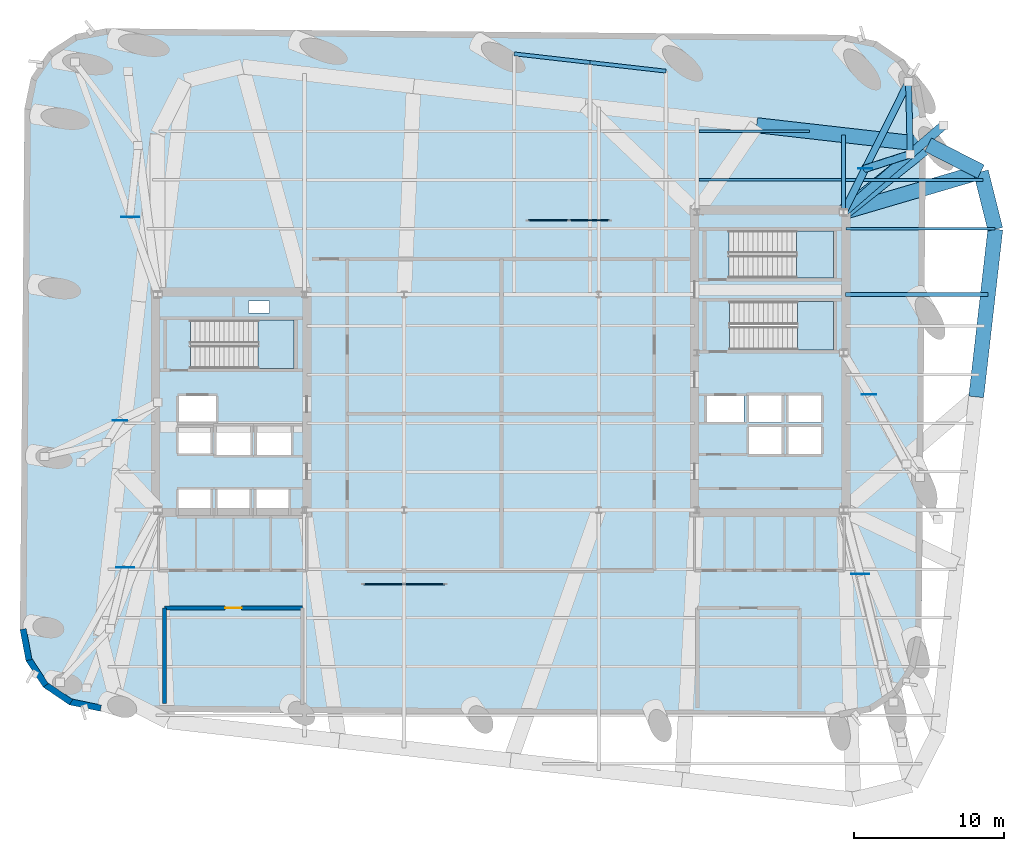
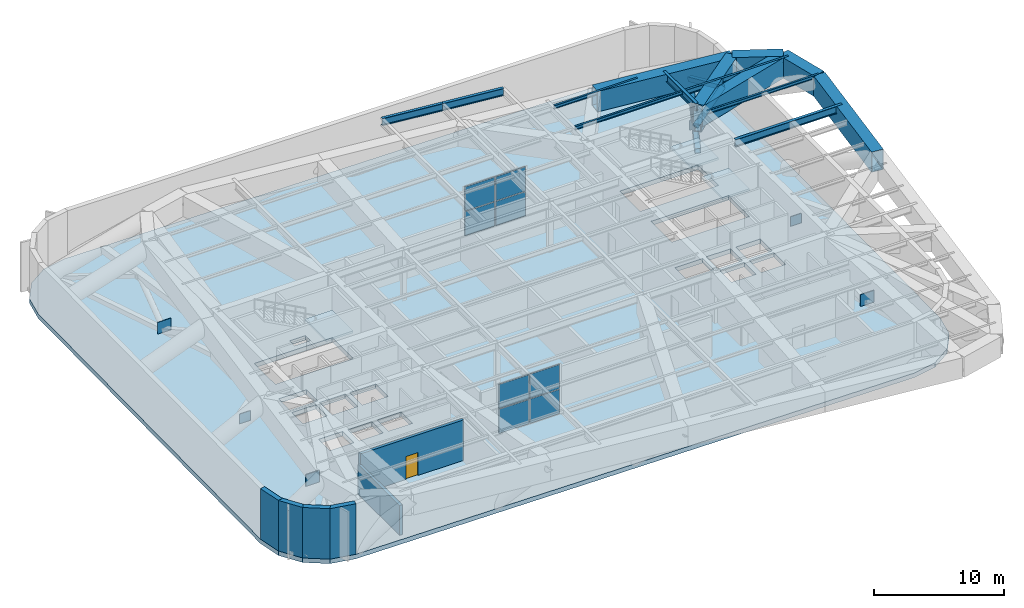
# One storey, part 6 of 13: 14 beams, 14 plates, 6 walls, 5 members, 4 slabs, 1 door, 1 opening, 5 elements without a shape of their own.
"""IFC4 building model written with IfcOpenShell, lengths in metres."""

from ifc_helpers import new_model, si_unit, direction, frame, frame_2d, origin, origin_2d, place, context, subcontext, project, spatial, polyline, rectangle, hollow_rectangle, hollow_circle, i_section, outline, extrude, material, layer, layer_set, material_profile, profile_set, type_object, element, fill, aggregate, save


model = new_model("IFC4")

# Units and contexts
model_context = context("Model", 3, precision=1e-05, world=origin(), true_north=direction((0.0, 1.0)))
body_context = subcontext(model_context, "Body", "Model", "MODEL_VIEW")
ifc_project = project(units=[si_unit("LENGTHUNIT", "METRE"), si_unit("AREAUNIT", "SQUARE_METRE"), si_unit("VOLUMEUNIT", "CUBIC_METRE"), si_unit("PLANEANGLEUNIT", "RADIAN"), si_unit("MASSUNIT", "GRAM", prefix="KILO")], contexts=[model_context])

# Site, building, storey
site_placement = place(None, origin())
site = spatial("IfcSite", under=ifc_project, at=site_placement, CompositionType="ELEMENT")
building_placement = place(site_placement, origin())
building = spatial("IfcBuilding", under=site, at=building_placement, Name="Kolvaren Arena Tower", CompositionType="ELEMENT")
storey_placement = place(building_placement, frame((0.0, 0.0, 210.949951171875)))
storey = spatial("IfcBuildingStorey", under=building, at=storey_placement, Name="L51", CompositionType="ELEMENT", Elevation=210.949951171875)

# Beam
ifc_material_1 = material(Name="Steel CSA G40.21 350W", Category="steel")
ifc_material_profile_1 = material_profile(ifc_material_1, i_section(OverallWidth=0.193115234375, OverallDepth=0.462890625, WebThickness=0.0107421875, FlangeThickness=0.0205078125, FilletRadius=0.012939453125, at=origin_2d()), Name="W460x113")
ifc_profile_set_1 = profile_set([ifc_material_profile_1], Name="Steel CSA G40.21 350W")
beam_type_1 = type_object("IfcBeamType", Name="BEAM-F2", PredefinedType="BEAM", material=ifc_profile_set_1)
beam_1_placement = place(storey_placement, frame((60.4775390625, 41.5, 4.5185546875), z_axis=(1.0, 0.0, 0.0), x_axis=(0.0, 1.0, 0.0)))
element("IfcBeam", 1, at=beam_1_placement, inside=storey, type_object=beam_type_1, Name="Composite Floor Beam (L51)", PredefinedType="BEAM", context=body_context, shape_type="SweptSolid", body=[
    extrude(i_section(OverallWidth=0.193115234375, OverallDepth=0.462890625, WebThickness=0.0107421875, FlangeThickness=0.0205078125, FilletRadius=0.012939453125, at=origin_2d()), origin(), (0.0, 0.0, 1.0), 9.17919921875),
])

# Members
ifc_material_2 = material(Name="Steel CSA G40.21 350WT", Category="steel")
ifc_material_profile_2 = material_profile(ifc_material_2, hollow_rectangle(XDim=0.449951171875, YDim=0.449951171875, WallThickness=0.02001953125, at=origin_2d()), Name="HSS 450x450x20")
ifc_profile_set_2 = profile_set([ifc_material_profile_2], Name="Steel CSA G40.21 350WT")
member_type_1 = type_object("IfcMemberType", Name="BELT-CHORD", PredefinedType="CHORD", material=ifc_profile_set_2)
member_1_placement = place(storey_placement, frame((60.35009765625, 39.35009765625, 0.35009765625), z_axis=(0.445516541311, 0.895273707543, 0.0), x_axis=(-0.895273707543, 0.445516541311, 0.0)))
element("IfcMember", 2, at=member_1_placement, inside=storey, type_object=member_type_1, Name="Belt Truss Bottom Chord 4 (L51)", PredefinedType="CHORD", context=body_context, shape_type="SweptSolid", body=[
    extrude(hollow_rectangle(XDim=0.449951171875, YDim=0.449951171875, WallThickness=0.02001953125, at=origin_2d()), origin(), (0.0, 0.0, 1.0), 9.729736328125),
])
ifc_material_profile_3 = material_profile(ifc_material_2, hollow_rectangle(XDim=0.39990234375, YDim=0.39990234375, WallThickness=0.01611328125, at=origin_2d()), Name="HSS 400x400x16")
ifc_profile_set_3 = profile_set([ifc_material_profile_3], Name="Steel CSA G40.21 350WT")
member_type_2 = type_object("IfcMemberType", Name="BELT-DIAG", PredefinedType="BRACE", material=ifc_profile_set_3)
member_2_placement = place(storey_placement, frame((64.80029296875, 43.21630859375, 2.47998046875), z_axis=(-0.021816086431, 0.915214805597, -0.402375344657), x_axis=(-0.999716016837, -0.023830352062, 0.0)))
element("IfcMember", 3, at=member_2_placement, inside=storey, type_object=member_type_2, Name="Belt Truss Warren Diagonal C 4 (L51)", PredefinedType="BRACE", context=body_context, shape_type="SweptSolid", body=[
    extrude(hollow_rectangle(XDim=0.39990234375, YDim=0.39990234375, WallThickness=0.01611328125, at=origin_2d()), origin(), (0.0, 0.0, 1.0), 5.293212890625),
])
ifc_material_profile_4 = material_profile(ifc_material_2, hollow_circle(Radius=0.25390625, WallThickness=0.02490234375, at=origin_2d()), Name="CHS 508x25")
ifc_profile_set_4 = profile_set([ifc_material_profile_4], Name="Steel CSA G40.21 350WT")
member_type_3 = type_object("IfcMemberType", Name="EXO-BRACE1", PredefinedType="BRACE", material=ifc_profile_set_4)
member_3_placement = place(storey_placement, frame((61.794921875, 42.253662109375, 0.35009765625), z_axis=(0.789375848786, 0.252843945716, 0.559424443932), x_axis=(-0.305042387396, 0.95233877475, 0.0)))
element("IfcMember", 4, at=member_3_placement, inside=storey, type_object=member_type_3, Name="Outrigger Warren Diagonal B 4 (L51)", PredefinedType="BRACE", context=body_context, shape_type="SweptSolid", body=[
    extrude(hollow_circle(Radius=0.25390625, WallThickness=0.02490234375, at=origin_2d()), origin(), (0.0, 0.0, 1.0), 3.807373046875),
])

# Beams
ifc_material_profile_5 = material_profile(ifc_material_1, i_section(OverallWidth=0.2548828125, OverallDepth=0.695068359375, WebThickness=0.01708984375, FlangeThickness=0.02978515625, FilletRadius=0.01611328125, at=origin_2d()), Name="W690x217")
ifc_profile_set_5 = profile_set([ifc_material_profile_5], Name="Steel CSA G40.21 350W")
beam_type_2 = type_object("IfcBeamType", Name="GIRD-T2", PredefinedType="BEAM", material=ifc_profile_set_5)
beam_2_placement = place(storey_placement, frame((60.47998046875, 33.85009765625, 4.402587890625), z_axis=(1.0, 0.0, 0.0), x_axis=(0.0, 1.0, 0.0)))
element("IfcBeam", 5, at=beam_2_placement, inside=storey, type_object=beam_type_2, Name="Primary Floor Girder (L51)", PredefinedType="BEAM", context=body_context, shape_type="SweptSolid", body=[
    extrude(i_section(OverallWidth=0.2548828125, OverallDepth=0.695068359375, WebThickness=0.01708984375, FlangeThickness=0.02978515625, FilletRadius=0.01611328125, at=origin_2d()), origin(), (0.0, 0.0, 1.0), 9.506103515625),
])
beam_3_placement = place(storey_placement, frame((60.35009765625, 39.47998046875, 4.402587890625), z_axis=(0.0, 1.0, 0.0), x_axis=(-1.0, 0.0, 0.0)))
element("IfcBeam", 6, at=beam_3_placement, inside=storey, type_object=beam_type_2, Name="Primary Floor Girder (L51)", PredefinedType="BEAM", context=body_context, shape_type="SweptSolid", body=[
    extrude(i_section(OverallWidth=0.2548828125, OverallDepth=0.695068359375, WebThickness=0.01708984375, FlangeThickness=0.02978515625, FilletRadius=0.01611328125, at=origin_2d()), origin(), (0.0, 0.0, 1.0), 5.01220703125),
])
beam_4_placement = place(storey_placement, frame((38.3515625, 49.917236328125, 4.402587890625), z_axis=(0.993570420936, -0.113215805614, 0.0), x_axis=(0.113215805614, 0.993570420936, 0.0)))
element("IfcBeam", 7, at=beam_4_placement, inside=storey, type_object=beam_type_2, Name="Terrace Edge Fascia Beam (L52)", PredefinedType="BEAM", context=body_context, shape_type="SweptSolid", body=[
    extrude(i_section(OverallWidth=0.2548828125, OverallDepth=0.695068359375, WebThickness=0.01708984375, FlangeThickness=0.02978515625, FilletRadius=0.01611328125, at=origin_2d()), origin(), (0.0, 0.0, 1.0), 5.099853515625),
])
beam_5_placement = place(storey_placement, frame((43.418701171875, 49.33984375, 4.402587890625), z_axis=(0.993576417845, -0.113163164954, 0.0), x_axis=(0.113163164954, 0.993576417845, 0.0)))
element("IfcBeam", 8, at=beam_5_placement, inside=storey, type_object=beam_type_2, Name="Terrace Edge Fascia Beam (L52)", PredefinedType="BEAM", context=body_context, shape_type="SweptSolid", body=[
    extrude(i_section(OverallWidth=0.2548828125, OverallDepth=0.695068359375, WebThickness=0.01708984375, FlangeThickness=0.02978515625, FilletRadius=0.01611328125, at=origin_2d()), origin(), (0.0, 0.0, 1.0), 5.10009765625),
])
ifc_material_profile_6 = material_profile(ifc_material_1, i_section(OverallWidth=0.1669921875, OverallDepth=0.31689453125, WebThickness=0.007568359375, FlangeThickness=0.01318359375, FilletRadius=0.010009765625, at=origin_2d()), Name="W310x52")
ifc_profile_set_6 = profile_set([ifc_material_profile_6], Name="Steel CSA G40.21 350W")
beam_type_3 = type_object("IfcBeamType", Name="JOIST-02", PredefinedType="JOIST", material=ifc_profile_set_6)
beam_6_placement = place(storey_placement, frame((60.52001953125, 38.25, 4.591552734375), z_axis=(1.0, 0.0, 0.0), x_axis=(0.0, 1.0, 0.0)))
element("IfcBeam", 9, at=beam_6_placement, inside=storey, type_object=beam_type_3, Name="Composite Floor Joist (L51)", PredefinedType="JOIST", context=body_context, shape_type="SweptSolid", body=[
    extrude(i_section(OverallWidth=0.1669921875, OverallDepth=0.31689453125, WebThickness=0.007568359375, FlangeThickness=0.01318359375, FilletRadius=0.010009765625, at=origin_2d()), origin(), (0.0, 0.0, 1.0), 9.950927734375),
])
beam_7_placement = place(storey_placement, frame((50.677490234375, 41.5, 4.591552734375), z_axis=(1.0, 0.0, 0.0), x_axis=(0.0, 1.0, 0.0)))
element("IfcBeam", 10, at=beam_7_placement, inside=storey, type_object=beam_type_3, Name="Composite Floor Joist (L51)", PredefinedType="JOIST", context=body_context, shape_type="SweptSolid", body=[
    extrude(i_section(OverallWidth=0.1669921875, OverallDepth=0.31689453125, WebThickness=0.007568359375, FlangeThickness=0.01318359375, FilletRadius=0.010009765625, at=origin_2d()), origin(), (0.0, 0.0, 1.0), 9.544921875),
])
beam_8_placement = place(storey_placement, frame((50.677490234375, 44.75, 4.591552734375), z_axis=(1.0, 0.0, 0.0), x_axis=(0.0, 1.0, 0.0)))
element("IfcBeam", 11, at=beam_8_placement, inside=storey, type_object=beam_type_3, Name="Composite Floor Joist (L51)", PredefinedType="JOIST", context=body_context, shape_type="SweptSolid", body=[
    extrude(i_section(OverallWidth=0.1669921875, OverallDepth=0.31689453125, WebThickness=0.007568359375, FlangeThickness=0.01318359375, FilletRadius=0.010009765625, at=origin_2d()), origin(), (0.0, 0.0, 1.0), 7.40869140625),
])

# Members
ifc_material_profile_7 = material_profile(ifc_material_2, hollow_rectangle(XDim=0.60009765625, YDim=0.60009765625, WallThickness=0.02490234375, at=origin_2d()), Name="HSS 600x600x25")
ifc_profile_set_7 = profile_set([ifc_material_profile_7], Name="Steel CSA G40.21 350WT")
member_type_4 = type_object("IfcMemberType", Name="OUT-CHORD", PredefinedType="CHORD", material=ifc_profile_set_7)
member_4_placement = place(storey_placement, frame((60.35009765625, 39.35009765625, 2.47998046875), z_axis=(0.754887784252, 0.655853972457, 0.0), x_axis=(-0.655853972457, 0.754887784252, 0.0)))
element("IfcMember", 12, at=member_4_placement, inside=storey, type_object=member_type_4, Name="Outrigger Top Chord 4 (L51)", PredefinedType="CHORD", context=body_context, shape_type="SweptSolid", body=[
    extrude(hollow_rectangle(XDim=0.60009765625, YDim=0.60009765625, WallThickness=0.02490234375, at=origin_2d()), origin(), (0.0, 0.0, 1.0), 8.8427734375),
])
ifc_material_profile_8 = material_profile(ifc_material_2, hollow_rectangle(XDim=0.5, YDim=0.5, WallThickness=0.02197265625, at=origin_2d()), Name="HSS 500x500x22")
ifc_profile_set_8 = profile_set([ifc_material_profile_8], Name="Steel CSA G40.21 350WT")
member_type_5 = type_object("IfcMemberType", Name="OUT-DIAG", PredefinedType="BRACE", material=ifc_profile_set_8)
member_5_placement = place(storey_placement, frame((60.35009765625, 39.35009765625, 2.47998046875), z_axis=(0.372374848629, 0.74833627488, -0.548935143534), x_axis=(-0.895283715787, 0.445496428994, 0.0)))
element("IfcMember", 13, at=member_5_placement, inside=storey, type_object=member_type_5, Name="Outrigger Warren Diagonal A 4 (L51)", PredefinedType="BRACE", context=body_context, shape_type="SweptSolid", body=[
    extrude(hollow_rectangle(XDim=0.5, YDim=0.5, WallThickness=0.02197265625, at=origin_2d()), origin(), (0.0, 0.0, 1.0), 3.880126953125),
])

# Beams
ifc_material_profile_9 = material_profile(ifc_material_2, hollow_rectangle(XDim=1.0, YDim=1.919921875, WallThickness=0.044921875, at=origin_2d()), Name="BOX 1000x1920x45")
ifc_profile_set_9 = profile_set([ifc_material_profile_9], Name="Steel CSA G40.21 350WT")
beam_type_4 = type_object("IfcBeamType", Name="TG-MEGA", PredefinedType="USERDEFINED", material=ifc_profile_set_9)
beam_9_placement = place(storey_placement, frame((69.206787109375, 27.010498046875, 3.7900390625), z_axis=(0.113201896536, 0.993572005755, 0.0), x_axis=(-0.993572005755, 0.113201896536, 0.0)))
element("IfcBeam", 14, at=beam_9_placement, inside=storey, type_object=beam_type_4, Name="Perimeter Transfer Ring Girder 09 (L51)", ObjectType="TRANSFER GIRDER", PredefinedType="USERDEFINED", context=body_context, shape_type="SweptSolid", body=[
    extrude(hollow_rectangle(XDim=1.0, YDim=1.919921875, WallThickness=0.044921875, at=origin_2d()), origin(), (0.0, 0.0, 1.0), 11.2666015625),
])
for number, where, z_axis, x_axis, name in (
    (15, (70.482177734375, 38.20458984375, 3.7900390625), (-0.242956154878, 0.970037270834, 0.0), (-0.970037270834, -0.242956154878, 0.0), "Perimeter Transfer Ring Girder 10 (L51)"),
    (16, (69.519775390625, 42.047119140625, 3.7900390625), (-0.890535676656, 0.454913407807, 0.0), (-0.454913407807, -0.890535676656, 0.0), "Perimeter Transfer Ring Girder 11 (L51)"),
):
    element("IfcBeam", number, at=place(storey_placement, frame(where, z_axis=z_axis, x_axis=x_axis)), inside=storey, type_object=beam_type_4, Name=name, ObjectType="TRANSFER GIRDER", PredefinedType="USERDEFINED", context=body_context, shape_type="SweptSolid", body=[
        extrude(hollow_rectangle(XDim=1.0, YDim=1.919921875, WallThickness=0.044921875, at=origin_2d()), origin(), (0.0, 0.0, 1.0), 3.961181640625),
    ])
beam_10_placement = place(storey_placement, frame((69.519775390625, 42.047119140625, 3.7900390625), z_axis=(-0.959363874622, -0.282171855559, 0.0), x_axis=(0.282171855559, -0.959363874622, 0.0)))
element("IfcBeam", 17, at=beam_10_placement, inside=storey, type_object=beam_type_4, Name="Cantilever Block Transfer Girder 11 (L51)", ObjectType="TRANSFER GIRDER", PredefinedType="USERDEFINED", context=body_context, shape_type="SweptSolid", body=[
    extrude(hollow_rectangle(XDim=1.0, YDim=1.919921875, WallThickness=0.044921875, at=origin_2d()), origin(), (0.0, 0.0, 1.0), 9.55810546875),
])
beam_11_placement = place(storey_placement, frame((65.9921875, 43.84912109375, 3.7900390625), z_axis=(-0.993571397957, 0.113207231049, 0.0), x_axis=(-0.113207231049, -0.993571397957, 0.0)))
element("IfcBeam", 18, at=beam_11_placement, inside=storey, type_object=beam_type_4, Name="Perimeter Transfer Ring Girder 12 (L51)", ObjectType="TRANSFER GIRDER", PredefinedType="USERDEFINED", context=body_context, shape_type="SweptSolid", body=[
    extrude(hollow_rectangle(XDim=1.0, YDim=1.919921875, WallThickness=0.044921875, at=origin_2d()), origin(), (0.0, 0.0, 1.0), 11.524658203125),
])
beam_12_placement = place(storey_placement, frame((65.9921875, 43.84912109375, 3.7900390625), z_axis=(-0.781858033986, -0.623456505854, 0.0), x_axis=(0.623456505854, -0.781858033986, 0.0)))
element("IfcBeam", 19, at=beam_12_placement, inside=storey, type_object=beam_type_4, Name="Cantilever Block Transfer Girder 12 (L51)", ObjectType="TRANSFER GIRDER", PredefinedType="USERDEFINED", context=body_context, shape_type="SweptSolid", body=[
    extrude(hollow_rectangle(XDim=1.0, YDim=1.919921875, WallThickness=0.044921875, at=origin_2d()), origin(), (0.0, 0.0, 1.0), 7.21630859375),
])

# Curtain wall, plates
ifc_material_3 = material(Name="Anodised aluminium unitised curtain wall", Category="aluminium")
curtain_wall_type = type_object("IfcCurtainWallType", Name="CW-SYS-05", PredefinedType="USERDEFINED", material=ifc_material_3)
curtain_wall_1_placement = place(storey_placement, origin())
curtain_wall_1 = element("IfcCurtainWall", 20, at=curtain_wall_1_placement, inside=storey, type_object=curtain_wall_type, Name="Mechanical Plant Louvre Curtain Wall (L51)", ObjectType="ACOUSTIC LOUVRE SCREEN", PredefinedType="USERDEFINED")
ifc_material_4 = material(Name="Storm-proof anodised aluminium louvre panel", Category="aluminium")
ifc_layer_1 = layer(ifc_material_4, 0.074951171875)
ifc_layer_set_1 = layer_set([ifc_layer_1], Name="Storm-proof anodised aluminium louvre panel")
plate_type_1 = type_object("IfcPlateType", Name="CWP-LVR1", PredefinedType="CURTAIN_PANEL", material=ifc_layer_set_1)
plate_1_placement = place(storey_placement, frame((29.625, 14.5, 0.080078125), z_axis=(0.0, 0.0, 1.0), x_axis=(1.0, 0.0, 0.0)))
plate_1 = element("IfcPlate", 21, at=plate_1_placement, type_object=plate_type_1, Name="CW5 panel 1.1", PredefinedType="CURTAIN_PANEL", context=body_context, shape_type="SweptSolid", body=[
    extrude(rectangle(XDim=2.64990234375, YDim=0.074951171875, at=origin_2d()), origin(), (0.0, 0.0, 1.0), 2.2548828125),
])
plate_2_placement = place(storey_placement, frame((29.625, 14.5, 2.4150390625), z_axis=(0.0, 0.0, 1.0), x_axis=(1.0, 0.0, 0.0)))
plate_2 = element("IfcPlate", 22, at=plate_2_placement, type_object=plate_type_1, Name="CW5 panel 1.2", PredefinedType="CURTAIN_PANEL", context=body_context, shape_type="SweptSolid", body=[
    extrude(rectangle(XDim=2.64990234375, YDim=0.074951171875, at=origin_2d()), origin(), (0.0, 0.0, 1.0), 2.2548828125),
])
plate_3_placement = place(storey_placement, frame((32.375, 14.5, 0.080078125), z_axis=(0.0, 0.0, 1.0), x_axis=(1.0, 0.0, 0.0)))
plate_3 = element("IfcPlate", 23, at=plate_3_placement, type_object=plate_type_1, Name="CW5 panel 2.1", PredefinedType="CURTAIN_PANEL", context=body_context, shape_type="SweptSolid", body=[
    extrude(rectangle(XDim=2.64990234375, YDim=0.074951171875, at=origin_2d()), origin(), (0.0, 0.0, 1.0), 2.2548828125),
])
plate_4_placement = place(storey_placement, frame((32.375, 14.5, 2.4150390625), z_axis=(0.0, 0.0, 1.0), x_axis=(1.0, 0.0, 0.0)))
plate_4 = element("IfcPlate", 24, at=plate_4_placement, type_object=plate_type_1, Name="CW5 panel 2.2", PredefinedType="CURTAIN_PANEL", context=body_context, shape_type="SweptSolid", body=[
    extrude(rectangle(XDim=2.64990234375, YDim=0.074951171875, at=origin_2d()), origin(), (0.0, 0.0, 1.0), 2.2548828125),
])
aggregate(curtain_wall_1, [plate_1, plate_2, plate_3, plate_4])

curtain_wall_2_placement = place(storey_placement, origin())
curtain_wall_2 = element("IfcCurtainWall", 25, at=curtain_wall_2_placement, inside=storey, type_object=curtain_wall_type, Name="Mechanical Plant Louvre Curtain Wall (L51)", ObjectType="ACOUSTIC LOUVRE SCREEN", PredefinedType="USERDEFINED")
plate_5_placement = place(storey_placement, frame((40.625, 38.800048828125, 0.080078125), z_axis=(0.0, 0.0, 1.0), x_axis=(1.0, 0.0, 0.0)))
plate_5 = element("IfcPlate", 26, at=plate_5_placement, type_object=plate_type_1, Name="CW5 panel 1.1", PredefinedType="CURTAIN_PANEL", context=body_context, shape_type="SweptSolid", body=[
    extrude(rectangle(XDim=2.64990234375, YDim=0.074951171875, at=origin_2d()), origin(), (0.0, 0.0, 1.0), 2.2548828125),
])
plate_6_placement = place(storey_placement, frame((40.625, 38.800048828125, 2.4150390625), z_axis=(0.0, 0.0, 1.0), x_axis=(1.0, 0.0, 0.0)))
plate_6 = element("IfcPlate", 27, at=plate_6_placement, type_object=plate_type_1, Name="CW5 panel 1.2", PredefinedType="CURTAIN_PANEL", context=body_context, shape_type="SweptSolid", body=[
    extrude(rectangle(XDim=2.64990234375, YDim=0.074951171875, at=origin_2d()), origin(), (0.0, 0.0, 1.0), 2.2548828125),
])
plate_7_placement = place(storey_placement, frame((43.375, 38.800048828125, 0.080078125), z_axis=(0.0, 0.0, 1.0), x_axis=(1.0, 0.0, 0.0)))
plate_7 = element("IfcPlate", 28, at=plate_7_placement, type_object=plate_type_1, Name="CW5 panel 2.1", PredefinedType="CURTAIN_PANEL", context=body_context, shape_type="SweptSolid", body=[
    extrude(rectangle(XDim=2.64990234375, YDim=0.074951171875, at=origin_2d()), origin(), (0.0, 0.0, 1.0), 2.2548828125),
])
plate_8_placement = place(storey_placement, frame((43.375, 38.800048828125, 2.4150390625), z_axis=(0.0, 0.0, 1.0), x_axis=(1.0, 0.0, 0.0)))
plate_8 = element("IfcPlate", 29, at=plate_8_placement, type_object=plate_type_1, Name="CW5 panel 2.2", PredefinedType="CURTAIN_PANEL", context=body_context, shape_type="SweptSolid", body=[
    extrude(rectangle(XDim=2.64990234375, YDim=0.074951171875, at=origin_2d()), origin(), (0.0, 0.0, 1.0), 2.2548828125),
])
aggregate(curtain_wall_2, [plate_5, plate_6, plate_7, plate_8])

# Plates
ifc_layer_2 = layer(ifc_material_2, 0.0380859375)
ifc_layer_set_2 = layer_set([ifc_layer_2], Name="Steel CSA G40.21 350WT")
plate_type_2 = type_object("IfcPlateType", Name="PLT-GUS-B1", PredefinedType="USERDEFINED", material=ifc_layer_set_2)
for number, where, z_axis, x_axis, name in (
    (30, (61.794921875, 42.253662109375, 0.2001953125), (0.0, 0.0, 1.0), (1.0, 0.0, 0.0), "Outrigger Truss Gusset Plate 4 (L51)"),
    (31, (12.0263671875, 25.4423828125, 0.2001953125), (0.0, 0.0, 1.0), (1.0, 0.0, 0.0), "Outrigger Truss Gusset Plate 5 (L51)"),
    (32, (62.04541015625, 27.18017578125, 0.2001953125), (0.0, 0.0, 1.0), (1.0, 0.0, 0.0), "Outrigger Truss Gusset Plate 6 (L51)"),
):
    element("IfcPlate", number, at=place(storey_placement, frame(where, z_axis=z_axis, x_axis=x_axis)), inside=storey, type_object=plate_type_2, Name=name, ObjectType="GUSSET PLATE", PredefinedType="USERDEFINED", context=body_context, shape_type="SweptSolid", body=[
        extrude(rectangle(XDim=0.949951171875, YDim=0.0380859375, at=origin_2d()), origin(), (0.0, 0.0, 1.0), 0.89990234375),
    ])
ifc_layer_3 = layer(ifc_material_2, 0.044921875)
ifc_layer_set_3 = layer_set([ifc_layer_3], Name="Steel CSA G40.21 350WT")
plate_type_3 = type_object("IfcPlateType", Name="PLT-GUS-O1", PredefinedType="USERDEFINED", material=ifc_layer_set_3)
for number, where, z_axis, x_axis, name in (
    (33, (12.3681640625, 15.615966796875, 0.199951171875), (0.0, 0.0, 1.0), (1.0, 0.0, 0.0), "Outrigger Truss Gusset Plate 1 (L51)"),
    (34, (12.70263671875, 39.026611328125, 0.199951171875), (0.0, 0.0, 1.0), (1.0, 0.0, 0.0), "Outrigger Truss Gusset Plate 2 (L51)"),
    (35, (61.46044921875, 15.17626953125, 0.199951171875), (0.0, 0.0, 1.0), (1.0, 0.0, 0.0), "Outrigger Truss Gusset Plate 3 (L51)"),
):
    element("IfcPlate", number, at=place(storey_placement, frame(where, z_axis=z_axis, x_axis=x_axis)), inside=storey, type_object=plate_type_3, Name=name, ObjectType="GUSSET PLATE", PredefinedType="USERDEFINED", context=body_context, shape_type="SweptSolid", body=[
        extrude(rectangle(XDim=1.199951171875, YDim=0.044921875, at=origin_2d()), origin(), (0.0, 0.0, 1.0), 1.10009765625),
    ])

# Stair, slab
ifc_material_5 = material(Name="Concrete 45 MPa", Category="concrete")
stair_type_1 = type_object("IfcStairType", Name="STAIR-CORE-165", PredefinedType="HALF_TURN_STAIR", material=ifc_material_5)
stair_1_placement = place(storey_placement, origin())
stair_1 = element("IfcStair", 36, at=stair_1_placement, inside=storey, type_object=stair_type_1, Name="L51 ST-W1", PredefinedType="HALF_TURN_STAIR")
ifc_layer_4 = layer(ifc_material_5, 0.199951171875)
ifc_layer_set_4 = layer_set([ifc_layer_4], Name="Concrete 45 MPa")
slab_type_1 = type_object("IfcSlabType", Name="SLAB-LAND", PredefinedType="LANDING", material=ifc_layer_set_4)
slab_1_placement = place(storey_placement, frame((0.0, 0.0, 2.400146484375)))
slab_1 = element("IfcSlab", 37, at=slab_1_placement, type_object=slab_type_1, Name="ST-W1 landing 1", PredefinedType="LANDING", context=body_context, shape_type="SweptSolid", body=[
    extrude(outline(polyline([(21.256103515625, 28.89990234375), (23.659912109375, 28.89990234375), (23.659912109375, 32.1298828125), (21.256103515625, 32.1298828125), (21.256103515625, 28.89990234375)])), origin(), (0.0, 0.0, 1.0), 0.199951171875),
])
aggregate(stair_1, [slab_1])

stair_2_placement = place(storey_placement, origin())
stair_2 = element("IfcStair", 38, at=stair_2_placement, inside=storey, type_object=stair_type_1, Name="L51 ST-E1", PredefinedType="HALF_TURN_STAIR")
slab_2_placement = place(storey_placement, frame((0.0, 0.0, 2.400146484375)))
slab_2 = element("IfcSlab", 39, at=slab_2_placement, type_object=slab_type_1, Name="ST-E1 landing 1", PredefinedType="LANDING", context=body_context, shape_type="SweptSolid", body=[
    extrude(outline(polyline([(57.256103515625, 30.14990234375), (59.659912109375, 30.14990234375), (59.659912109375, 33.3798828125), (57.256103515625, 33.3798828125), (57.256103515625, 30.14990234375)])), origin(), (0.0, 0.0, 1.0), 0.199951171875),
])
aggregate(stair_2, [slab_2])

stair_type_2 = type_object("IfcStairType", Name="STAIR-CORE-150", PredefinedType="HALF_TURN_STAIR", material=ifc_material_5)
stair_3_placement = place(storey_placement, origin())
stair_3 = element("IfcStair", 40, at=stair_3_placement, inside=storey, type_object=stair_type_2, Name="L51 ST-E2", PredefinedType="HALF_TURN_STAIR")
slab_3_placement = place(storey_placement, frame((0.0, 0.0, 2.400146484375)))
slab_3 = element("IfcSlab", 41, at=slab_3_placement, type_object=slab_type_1, Name="ST-E2 landing 1", PredefinedType="LANDING", context=body_context, shape_type="SweptSolid", body=[
    extrude(outline(polyline([(57.216064453125, 34.949951171875), (59.659912109375, 34.949951171875), (59.659912109375, 38.10009765625), (57.216064453125, 38.10009765625), (57.216064453125, 34.949951171875)])), origin(), (0.0, 0.0, 1.0), 0.199951171875),
])
aggregate(stair_3, [slab_3])

# Slab
ifc_material_6 = material(Name="Concrete 50 MPa", Category="concrete")
ifc_layer_5 = layer(ifc_material_6, 0.419921875)
ifc_layer_set_5 = layer_set([ifc_layer_5], Name="Concrete 50 MPa")
slab_type_2 = type_object("IfcSlabType", Name="SLAB-PLANT", PredefinedType="FLOOR", material=ifc_layer_set_5)
slab_4_placement = place(storey_placement, frame((0.0, 0.0, -0.419921875)))
element("IfcSlab", 42, at=slab_4_placement, inside=storey, type_object=slab_type_2, Name="L51 Primary Structural Slab", PredefinedType="FLOOR", context=body_context, shape_type="SweptSolid", body=[
    extrude(outline(polyline([(60.10009765625, 5.585205078125), (62.170166015625, 5.978271484375), (63.93212890625, 7.133544921875), (65.117919921875, 8.875244140625), (65.547119140625, 10.93798828125), (65.8505859375, 45.73681640625), (65.457763671875, 47.806640625), (64.302490234375, 49.568603515625), (62.560791015625, 50.75439453125), (60.498046875, 51.18359375), (11.099853515625, 51.61474609375), (9.02978515625, 51.2216796875), (7.267822265625, 50.06640625), (6.08203125, 48.32470703125), (5.653076171875, 46.261962890625), (5.349365234375, 11.46337890625), (5.7421875, 9.393310546875), (6.8974609375, 7.63134765625), (8.63916015625, 6.445556640625), (10.701904296875, 6.016357421875), (60.10009765625, 5.585205078125)]), holes=[polyline([(15.93505859375, 19.0849609375), (15.93505859375, 20.81494140625), (18.06494140625, 20.81494140625), (18.06494140625, 19.0849609375), (15.93505859375, 19.0849609375)]), polyline([(18.534912109375, 19.0849609375), (18.534912109375, 20.81494140625), (20.6650390625, 20.81494140625), (20.6650390625, 19.0849609375), (18.534912109375, 19.0849609375)]), polyline([(21.135009765625, 19.0849609375), (21.135009765625, 20.81494140625), (23.264892578125, 20.81494140625), (23.264892578125, 19.0849609375), (21.135009765625, 19.0849609375)]), polyline([(18.4599609375, 23.135009765625), (18.4599609375, 25.06494140625), (20.739990234375, 25.06494140625), (20.739990234375, 23.135009765625), (18.4599609375, 23.135009765625)]), polyline([(21.159912109375, 23.135009765625), (21.159912109375, 25.06494140625), (23.43994140625, 25.06494140625), (23.43994140625, 23.135009765625), (21.159912109375, 23.135009765625)]), polyline([(54.030029296875, 23.18505859375), (54.030029296875, 25.014892578125), (56.2099609375, 25.014892578125), (56.2099609375, 23.18505859375), (54.030029296875, 23.18505859375)]), polyline([(56.669921875, 23.18505859375), (56.669921875, 25.014892578125), (58.85009765625, 25.014892578125), (58.85009765625, 23.18505859375), (56.669921875, 23.18505859375)]), polyline([(15.93505859375, 23.235107421875), (15.93505859375, 24.965087890625), (18.06494140625, 24.965087890625), (18.06494140625, 23.235107421875), (15.93505859375, 23.235107421875)]), polyline([(54.030029296875, 25.284912109375), (54.030029296875, 27.114990234375), (56.2099609375, 27.114990234375), (56.2099609375, 25.284912109375), (54.030029296875, 25.284912109375)]), polyline([(56.669921875, 25.284912109375), (56.669921875, 27.114990234375), (58.85009765625, 27.114990234375), (58.85009765625, 25.284912109375), (56.669921875, 25.284912109375)]), polyline([(15.9599609375, 25.3349609375), (15.9599609375, 27.06494140625), (18.43994140625, 27.06494140625), (18.43994140625, 25.3349609375), (15.9599609375, 25.3349609375)]), polyline([(51.219970703125, 25.3349609375), (51.219970703125, 27.06494140625), (53.699951171875, 27.06494140625), (53.699951171875, 25.3349609375), (51.219970703125, 25.3349609375)]), polyline([(16.735107421875, 28.89990234375), (16.735107421875, 32.1298828125), (23.659912109375, 32.1298828125), (23.659912109375, 28.89990234375), (16.735107421875, 28.89990234375)]), polyline([(52.735107421875, 30.14990234375), (52.735107421875, 33.3798828125), (59.659912109375, 33.3798828125), (59.659912109375, 30.14990234375), (52.735107421875, 30.14990234375)]), polyline([(20.60009765625, 32.6201171875), (20.60009765625, 33.39990234375), (22.0, 33.39990234375), (22.0, 32.6201171875), (20.60009765625, 32.6201171875)]), polyline([(52.695068359375, 34.949951171875), (52.695068359375, 38.10009765625), (59.659912109375, 38.10009765625), (59.659912109375, 34.949951171875), (52.695068359375, 34.949951171875)])]), origin(), (0.0, 0.0, 1.0), 0.419921875),
])

# Walls
ifc_material_7 = material(Name="Precast concrete C50/60", Category="concrete")
ifc_layer_6 = layer(ifc_material_7, 0.419921875)
ifc_layer_set_6 = layer_set([ifc_layer_6], Name="Precast concrete C50/60")
wall_type_1 = type_object("IfcWallType", Name="EXT-PIER1", PredefinedType="SOLIDWALL", material=ifc_layer_set_6)
for number, where, z_axis, x_axis, name in (
    (43, (5.948486328125, 9.4326171875, 0.0), (0.0, 0.0, 1.0), (-0.186457081764, 0.982463107022, 0.0), "Exterior Precast Masonry-Frame Wall (L51)"),
    (44, (7.072998046875, 7.746337890625, 0.0), (0.0, 0.0, 1.0), (-0.548238722478, 0.83632188969, 0.0), "Exterior Precast Masonry-Frame Wall (L51)"),
):
    element("IfcWall", number, at=place(storey_placement, frame(where, z_axis=z_axis, x_axis=x_axis)), inside=storey, type_object=wall_type_1, Name=name, PredefinedType="SOLIDWALL", context=body_context, shape_type="SweptSolid", body=[
        extrude(rectangle(XDim=2.106689453125, YDim=0.419921875, at=frame_2d((1.05322265625, 0.0))), origin(), (0.0, 0.0, 1.0), 4.75),
    ])
wall_1_placement = place(storey_placement, frame((8.75732421875, 6.619140625, 0.0), z_axis=(0.0, 0.0, 1.0), x_axis=(-0.826609569219, 0.56277581689, 0.0)))
element("IfcWall", 45, at=wall_1_placement, inside=storey, type_object=wall_type_1, Name="Exterior Precast Masonry-Frame Wall (L51)", PredefinedType="SOLIDWALL", context=body_context, shape_type="SweptSolid", body=[
    extrude(rectangle(XDim=2.10693359375, YDim=0.419921875, at=frame_2d((1.053466796875, 0.0))), origin(), (0.0, 0.0, 1.0), 4.75),
])
wall_2_placement = place(storey_placement, frame((10.744873046875, 6.221923828125, 0.0), z_axis=(0.0, 0.0, 1.0), x_axis=(-0.979036289883, 0.203685893209, 0.0)))
element("IfcWall", 46, at=wall_2_placement, inside=storey, type_object=wall_type_1, Name="Exterior Precast Masonry-Frame Wall (L51)", PredefinedType="SOLIDWALL", context=body_context, shape_type="SweptSolid", body=[
    extrude(rectangle(XDim=2.107177734375, YDim=0.419921875, at=frame_2d((1.0537109375, 0.0))), origin(), (0.0, 0.0, 1.0), 4.75),
])

# Wall, opening, door
ifc_layer_7 = layer(ifc_material_5, 0.25)
ifc_layer_set_7 = layer_set([ifc_layer_7], Name="Concrete 45 MPa")
wall_type_2 = type_object("IfcWallType", Name="SHAFT-250", PredefinedType="SOLIDWALL", material=ifc_layer_set_7)
wall_3_placement = place(storey_placement, frame((15.0, 12.919921875, 0.0), z_axis=(0.0, 0.0, 1.0), x_axis=(1.0, 0.0, 0.0)))
wall_3 = element("IfcWall", 47, at=wall_3_placement, inside=storey, type_object=wall_type_2, Name="Interior Partition Wall (L51)", PredefinedType="SOLIDWALL", context=body_context, shape_type="SweptSolid", body=[
    extrude(rectangle(XDim=9.199951171875, YDim=0.25, at=frame_2d((4.60009765625, 0.0))), origin(), (0.0, 0.0, 1.0), 3.81005859375),
])
opening_placement = place(wall_3_placement, frame((4.050048828125, 0.0, 0.0)))
opening = element("IfcOpeningElement", 48, at=opening_placement, cuts=wall_3, Name="Opening D03", PredefinedType="OPENING", context=body_context, shape_type="SweptSolid", body=[
    extrude(rectangle(XDim=1.10009765625, YDim=2.14990234375, at=frame_2d((0.550048828125, 1.074951171875))), frame((0.0, 0.135009765625, 0.0), z_axis=(0.0, -1.0, 0.0), x_axis=(1.0, 0.0, 0.0)), (0.0, 0.0, 1.0), 0.27001953125),
])
ifc_material_8 = material(Name="Fire-rated steel exit stair door", Category="steel")
door_type = type_object("IfcDoorType", Name="DOOR-ST-110", OperationType="NOTDEFINED", PredefinedType="DOOR", material=ifc_material_8)
door_placement = place(opening_placement, origin())
door = element("IfcDoor", 49, at=door_placement, inside=storey, type_object=door_type, Name="West Area of Refuge Door (L51)", OperationType="SINGLE_SWING_LEFT", OverallHeight=2.14990234375, OverallWidth=1.10009765625, PredefinedType="DOOR", context=body_context, shape_type="SweptSolid", body=[
    extrude(rectangle(XDim=1.10009765625, YDim=2.14990234375, at=frame_2d((0.550048828125, 1.074951171875))), frame((0.0, 0.02490234375, 0.0), z_axis=(0.0, -1.0, 0.0), x_axis=(1.0, 0.0, 0.0)), (0.0, 0.0, 1.0), 0.050048828125),
])
fill(opening, door)

# Wall
wall_4_placement = place(storey_placement, frame((15.0, 6.538818359375, 0.0), z_axis=(0.0, 0.0, 1.0), x_axis=(0.0, 1.0, 0.0)))
element("IfcWall", 50, at=wall_4_placement, inside=storey, type_object=wall_type_2, Name="Interior Partition Wall (L51)", PredefinedType="SOLIDWALL", context=body_context, shape_type="SweptSolid", body=[
    extrude(rectangle(XDim=6.381103515625, YDim=0.25, at=frame_2d((3.1904296875, 0.0))), origin(), (0.0, 0.0, 1.0), 2.800048828125),
])

save(model, "model.ifc")
